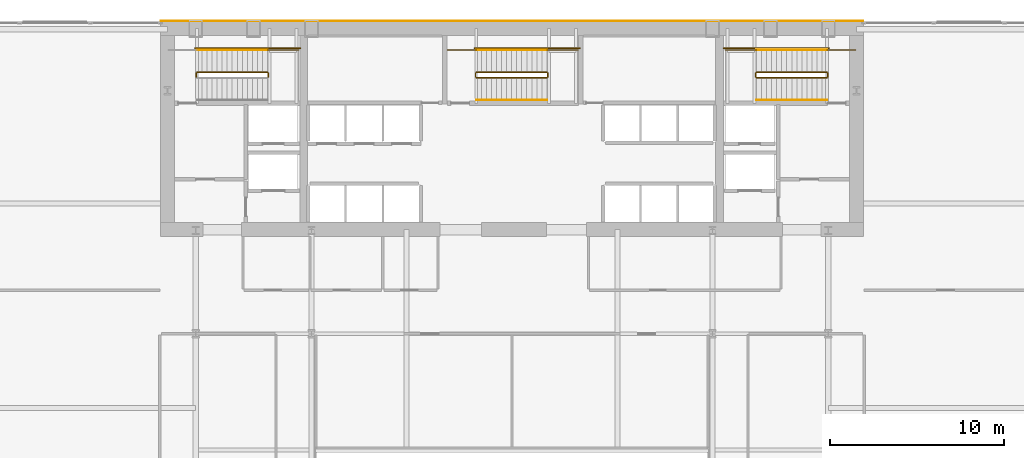
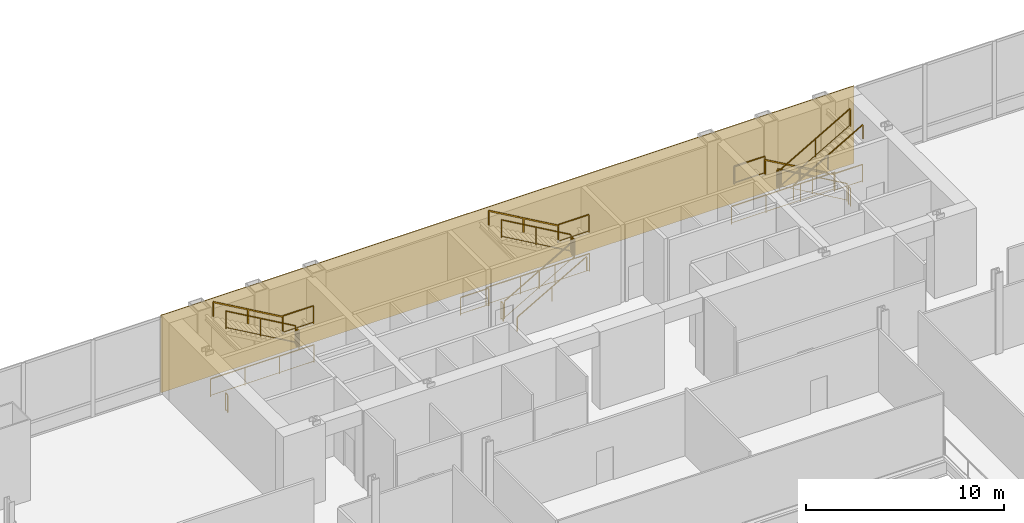
# One storey, part 24 of 25: 24 railings, 1 covering.
"""IFC4 building model written with IfcOpenShell, lengths in metres."""

from ifc_helpers import new_model, si_unit, direction, frame, origin, origin_2d, place, context, subcontext, project, spatial, polyline, rectangle, outline, extrude, material, layer, layer_set, type_object, element, save


model = new_model("IFC4")

# Units and contexts
model_context = context("Model", 3, precision=1e-05, world=origin(), true_north=direction((0.0, 1.0)))
body_context = subcontext(model_context, "Body", "Model", "MODEL_VIEW")
ifc_project = project(units=[si_unit("LENGTHUNIT", "METRE"), si_unit("AREAUNIT", "SQUARE_METRE"), si_unit("VOLUMEUNIT", "CUBIC_METRE"), si_unit("PLANEANGLEUNIT", "RADIAN"), si_unit("MASSUNIT", "GRAM", prefix="KILO")], contexts=[model_context])

# Site, building, storey
site_placement = place(None, origin())
site = spatial("IfcSite", under=ifc_project, at=site_placement, CompositionType="ELEMENT")
building_placement = place(site_placement, origin())
building = spatial("IfcBuilding", under=site, at=building_placement, Name="Khoronbel Lancet Exchange", CompositionType="ELEMENT")
storey_placement = place(building_placement, frame((0.0, 0.0, 15.39990234375)))
storey = spatial("IfcBuildingStorey", under=building, at=storey_placement, Name="L03", CompositionType="ELEMENT", Elevation=15.39990234375)

# Covering
ifc_material_1 = material(Name="Honed Egyptian Limestone & Bronze Rainscreen", Category="masonry")
ifc_layer = layer(ifc_material_1, 0.050048828125, Name="Honed Egyptian Limestone & Bronze Rainscreen")
ifc_layer_set = layer_set([ifc_layer], Name="Honed Egyptian Limestone & Bronze Rainscreen")
covering_type = type_object("IfcCoveringType", Name="COV-CLAD1", PredefinedType="CLADDING", material=ifc_layer_set)
covering_placement = place(storey_placement, origin())
element("IfcCovering", 1, at=covering_placement, inside=storey, type_object=covering_type, Name="Level L03 north rear-core stone and bronze rainscreen cladding", PredefinedType="CLADDING", context=body_context, shape_type="SweptSolid", body=[
    extrude(outline(polyline([(16.199951171875, 53.699951171875), (56.699951171875, 53.699951171875), (56.699951171875, 53.75), (16.199951171875, 53.75), (16.199951171875, 53.699951171875)])), origin(), (0.0, 0.0, 1.0), 4.780029296875),
])

# Railings
ifc_material_2 = material(Name="Painted Steel Balustrade", Category="steel")
railing_type_1 = type_object("IfcRailingType", Name="RL-STG110", PredefinedType="GUARDRAIL", material=ifc_material_2)
railing_1_placement = place(storey_placement, frame((22.409912109375, 50.5, 2.5)))
element("IfcRailing", 2, at=railing_1_placement, inside=storey, type_object=railing_type_1, Name="L03 ST1 stair guard 2", PredefinedType="GUARDRAIL", context=body_context, shape_type="SweptSolid", body=[
    extrude(rectangle(XDim=0.048095703125, YDim=0.048095703125, at=origin_2d()), frame((0.0, 0.0, 1.09619140625), z_axis=(0.0, 1.0, 0.0), x_axis=(-1.0, 0.0, 0.0)), (0.0, 0.0, 1.0), 0.219970703125),
    extrude(rectangle(XDim=0.02392578125, YDim=0.02392578125, at=origin_2d()), frame((0.0, 0.0, 0.080078125), z_axis=(0.0, 1.0, 0.0), x_axis=(-1.0, 0.0, 0.0)), (0.0, 0.0, 1.0), 0.219970703125),
    extrude(rectangle(XDim=0.0419921875, YDim=0.0419921875, at=origin_2d()), origin(), (0.0, 0.0, 1.0), 1.072021484375),
    extrude(rectangle(XDim=0.0419921875, YDim=0.0419921875, at=origin_2d()), frame((0.0, 0.219970703125, 0.0)), (0.0, 0.0, 1.0), 1.072021484375),
])
railing_2_placement = place(storey_placement, frame((22.360107421875, 52.050048828125, 2.5)))
element("IfcRailing", 3, at=railing_2_placement, inside=storey, type_object=railing_type_1, Name="L03 ST1 stair guard 3", PredefinedType="GUARDRAIL", context=body_context, shape_type="SweptSolid", body=[
    extrude(rectangle(XDim=0.048095703125, YDim=0.048095703125, at=origin_2d()), frame((0.0, 0.0, 1.09619140625), z_axis=(1.0, 0.0, 0.0), x_axis=(0.0, 1.0, 0.0)), (0.0, 0.0, 1.0), 1.789794921875),
    extrude(rectangle(XDim=0.02392578125, YDim=0.02392578125, at=origin_2d()), frame((0.0, 0.0, 0.080078125), z_axis=(1.0, 0.0, 0.0), x_axis=(0.0, 1.0, 0.0)), (0.0, 0.0, 1.0), 1.789794921875),
    extrude(rectangle(XDim=0.0419921875, YDim=0.0419921875, at=origin_2d()), origin(), (0.0, 0.0, 1.0), 1.072021484375),
    extrude(rectangle(XDim=0.0419921875, YDim=0.0419921875, at=origin_2d()), frame((1.789794921875, 0.0, 0.0)), (0.0, 0.0, 1.0), 1.072021484375),
])
railing_3_placement = place(storey_placement, frame((22.360107421875, 50.77001953125, 2.666748046875)))
element("IfcRailing", 4, at=railing_3_placement, inside=storey, type_object=railing_type_1, Name="L03 ST1 stair guard 4", PredefinedType="GUARDRAIL", context=body_context, shape_type="SweptSolid", body=[
    extrude(rectangle(XDim=0.048095703125, YDim=0.048095703125, at=origin_2d()), frame((0.0, 0.0, 1.09619140625), z_axis=(-0.867024558463, 0.0, 0.498265406207), x_axis=(0.0, -1.0, 0.0)), (0.0, 0.0, 1.0), 4.682861328125),
    extrude(rectangle(XDim=0.02392578125, YDim=0.02392578125, at=origin_2d()), frame((0.0, 0.0, 0.080078125), z_axis=(-0.867024558463, 0.0, 0.498265406207), x_axis=(0.0, -1.0, 0.0)), (0.0, 0.0, 1.0), 4.682861328125),
    extrude(rectangle(XDim=0.0419921875, YDim=0.0419921875, at=origin_2d()), origin(), (0.0, 0.0, 1.0), 1.072021484375),
    extrude(rectangle(XDim=0.0419921875, YDim=0.0419921875, at=origin_2d()), frame((-2.030029296875, 0.0, 1.16650390625)), (0.0, 0.0, 1.0), 1.072021484375),
    extrude(rectangle(XDim=0.0419921875, YDim=0.0419921875, at=origin_2d()), frame((-4.06005859375, 0.0, 2.333251953125)), (0.0, 0.0, 1.0), 1.072021484375),
])
railing_4_placement = place(storey_placement, frame((18.25, 50.5, 0.0)))
element("IfcRailing", 5, at=railing_4_placement, inside=storey, type_object=railing_type_1, Name="L03 ST1 stair guard 5", PredefinedType="GUARDRAIL", context=body_context, shape_type="SweptSolid", body=[
    extrude(rectangle(XDim=0.048095703125, YDim=0.048095703125, at=origin_2d()), frame((0.0, 0.0, 1.09619140625), z_axis=(0.0, 1.0, 0.0), x_axis=(-1.0, 0.0, 0.0)), (0.0, 0.0, 1.0), 0.219970703125),
    extrude(rectangle(XDim=0.02392578125, YDim=0.02392578125, at=origin_2d()), frame((0.0, 0.0, 0.080078125), z_axis=(0.0, 1.0, 0.0), x_axis=(-1.0, 0.0, 0.0)), (0.0, 0.0, 1.0), 0.219970703125),
    extrude(rectangle(XDim=0.0419921875, YDim=0.0419921875, at=origin_2d()), origin(), (0.0, 0.0, 1.0), 1.072021484375),
    extrude(rectangle(XDim=0.0419921875, YDim=0.0419921875, at=origin_2d()), frame((0.0, 0.219970703125, 0.0)), (0.0, 0.0, 1.0), 1.072021484375),
])
railing_5_placement = place(storey_placement, frame((18.199951171875, 52.14990234375, 0.0)))
element("IfcRailing", 6, at=railing_5_placement, inside=storey, type_object=railing_type_1, Name="L03 ST1 stair guard 7", PredefinedType="GUARDRAIL", context=body_context, shape_type="SweptSolid", body=[
    extrude(rectangle(XDim=0.048095703125, YDim=0.048095703125, at=origin_2d()), frame((0.0, 0.0, 1.09619140625), z_axis=(1.0, 0.0, 0.0), x_axis=(0.0, 1.0, 0.0)), (0.0, 0.0, 1.0), 6.050048828125),
    extrude(rectangle(XDim=0.02392578125, YDim=0.02392578125, at=origin_2d()), frame((0.0, 0.0, 0.080078125), z_axis=(1.0, 0.0, 0.0), x_axis=(0.0, 1.0, 0.0)), (0.0, 0.0, 1.0), 6.050048828125),
    extrude(rectangle(XDim=0.0419921875, YDim=0.0419921875, at=origin_2d()), origin(), (0.0, 0.0, 1.0), 1.072021484375),
    extrude(rectangle(XDim=0.0419921875, YDim=0.0419921875, at=origin_2d()), frame((2.0166015625, 0.0, 0.0)), (0.0, 0.0, 1.0), 1.072021484375),
    extrude(rectangle(XDim=0.0419921875, YDim=0.0419921875, at=origin_2d()), frame((4.033447265625, 0.0, 0.0)), (0.0, 0.0, 1.0), 1.072021484375),
    extrude(rectangle(XDim=0.0419921875, YDim=0.0419921875, at=origin_2d()), frame((6.050048828125, 0.0, 0.0)), (0.0, 0.0, 1.0), 1.072021484375),
])
railing_6_placement = place(storey_placement, frame((54.60009765625, 50.77001953125, 0.166748046875)))
element("IfcRailing", 7, at=railing_6_placement, inside=storey, type_object=railing_type_1, Name="L03 ST2 stair guard 1", PredefinedType="GUARDRAIL", context=body_context, shape_type="SweptSolid", body=[
    extrude(rectangle(XDim=0.048095703125, YDim=0.048095703125, at=origin_2d()), frame((0.0, 0.0, 1.09619140625), z_axis=(-0.867024558463, 0.0, 0.498265406207), x_axis=(0.0, -1.0, 0.0)), (0.0, 0.0, 1.0), 4.682861328125),
    extrude(rectangle(XDim=0.02392578125, YDim=0.02392578125, at=origin_2d()), frame((0.0, 0.0, 0.080078125), z_axis=(-0.867024558463, 0.0, 0.498265406207), x_axis=(0.0, -1.0, 0.0)), (0.0, 0.0, 1.0), 4.682861328125),
    extrude(rectangle(XDim=0.0419921875, YDim=0.0419921875, at=origin_2d()), origin(), (0.0, 0.0, 1.0), 1.072021484375),
    extrude(rectangle(XDim=0.0419921875, YDim=0.0419921875, at=origin_2d()), frame((-2.030029296875, 0.0, 1.16650390625)), (0.0, 0.0, 1.0), 1.072021484375),
    extrude(rectangle(XDim=0.0419921875, YDim=0.0419921875, at=origin_2d()), frame((-4.06005859375, 0.0, 2.333251953125)), (0.0, 0.0, 1.0), 1.072021484375),
])
railing_7_placement = place(storey_placement, frame((50.489990234375, 50.719970703125, 2.5)))
element("IfcRailing", 8, at=railing_7_placement, inside=storey, type_object=railing_type_1, Name="L03 ST2 stair guard 2", PredefinedType="GUARDRAIL", context=body_context, shape_type="SweptSolid", body=[
    extrude(rectangle(XDim=0.048095703125, YDim=0.048095703125, at=origin_2d()), frame((0.0, 0.0, 1.09619140625), z_axis=(0.0, -1.0, 0.0), x_axis=(1.0, 0.0, 0.0)), (0.0, 0.0, 1.0), 0.219970703125),
    extrude(rectangle(XDim=0.02392578125, YDim=0.02392578125, at=origin_2d()), frame((0.0, 0.0, 0.080078125), z_axis=(0.0, -1.0, 0.0), x_axis=(1.0, 0.0, 0.0)), (0.0, 0.0, 1.0), 0.219970703125),
    extrude(rectangle(XDim=0.0419921875, YDim=0.0419921875, at=origin_2d()), origin(), (0.0, 0.0, 1.0), 1.072021484375),
    extrude(rectangle(XDim=0.0419921875, YDim=0.0419921875, at=origin_2d()), frame((0.0, -0.219970703125, 0.0)), (0.0, 0.0, 1.0), 1.072021484375),
])
railing_8_placement = place(storey_placement, frame((50.5400390625, 52.050048828125, 2.5)))
element("IfcRailing", 9, at=railing_8_placement, inside=storey, type_object=railing_type_1, Name="L03 ST2 stair guard 3", PredefinedType="GUARDRAIL", context=body_context, shape_type="SweptSolid", body=[
    extrude(rectangle(XDim=0.048095703125, YDim=0.048095703125, at=origin_2d()), frame((0.0, 0.0, 1.09619140625), z_axis=(-1.0, 0.0, 0.0), x_axis=(0.0, -1.0, 0.0)), (0.0, 0.0, 1.0), 1.7900390625),
    extrude(rectangle(XDim=0.02392578125, YDim=0.02392578125, at=origin_2d()), frame((0.0, 0.0, 0.080078125), z_axis=(-1.0, 0.0, 0.0), x_axis=(0.0, -1.0, 0.0)), (0.0, 0.0, 1.0), 1.7900390625),
    extrude(rectangle(XDim=0.0419921875, YDim=0.0419921875, at=origin_2d()), origin(), (0.0, 0.0, 1.0), 1.072021484375),
    extrude(rectangle(XDim=0.0419921875, YDim=0.0419921875, at=origin_2d()), frame((-1.7900390625, 0.0, 0.0)), (0.0, 0.0, 1.0), 1.072021484375),
])
railing_9_placement = place(storey_placement, frame((50.5400390625, 50.449951171875, 2.666748046875)))
element("IfcRailing", 10, at=railing_9_placement, inside=storey, type_object=railing_type_1, Name="L03 ST2 stair guard 4", PredefinedType="GUARDRAIL", context=body_context, shape_type="SweptSolid", body=[
    extrude(rectangle(XDim=0.048095703125, YDim=0.048095703125, at=origin_2d()), frame((0.0, 0.0, 1.09619140625), z_axis=(0.867024558463, 0.0, 0.498265406207), x_axis=(0.0, 1.0, 0.0)), (0.0, 0.0, 1.0), 4.682861328125),
    extrude(rectangle(XDim=0.02392578125, YDim=0.02392578125, at=origin_2d()), frame((0.0, 0.0, 0.080078125), z_axis=(0.867024558463, 0.0, 0.498265406207), x_axis=(0.0, 1.0, 0.0)), (0.0, 0.0, 1.0), 4.682861328125),
    extrude(rectangle(XDim=0.0419921875, YDim=0.0419921875, at=origin_2d()), origin(), (0.0, 0.0, 1.0), 1.072021484375),
    extrude(rectangle(XDim=0.0419921875, YDim=0.0419921875, at=origin_2d()), frame((2.030029296875, 0.0, 1.16650390625)), (0.0, 0.0, 1.0), 1.072021484375),
    extrude(rectangle(XDim=0.0419921875, YDim=0.0419921875, at=origin_2d()), frame((4.06005859375, 0.0, 2.333251953125)), (0.0, 0.0, 1.0), 1.072021484375),
])
railing_10_placement = place(storey_placement, frame((54.64990234375, 50.719970703125, 0.0)))
element("IfcRailing", 11, at=railing_10_placement, inside=storey, type_object=railing_type_1, Name="L03 ST2 stair guard 5", PredefinedType="GUARDRAIL", context=body_context, shape_type="SweptSolid", body=[
    extrude(rectangle(XDim=0.048095703125, YDim=0.048095703125, at=origin_2d()), frame((0.0, 0.0, 1.09619140625), z_axis=(0.0, -1.0, 0.0), x_axis=(1.0, 0.0, 0.0)), (0.0, 0.0, 1.0), 0.219970703125),
    extrude(rectangle(XDim=0.02392578125, YDim=0.02392578125, at=origin_2d()), frame((0.0, 0.0, 0.080078125), z_axis=(0.0, -1.0, 0.0), x_axis=(1.0, 0.0, 0.0)), (0.0, 0.0, 1.0), 0.219970703125),
    extrude(rectangle(XDim=0.0419921875, YDim=0.0419921875, at=origin_2d()), origin(), (0.0, 0.0, 1.0), 1.072021484375),
    extrude(rectangle(XDim=0.0419921875, YDim=0.0419921875, at=origin_2d()), frame((0.0, -0.219970703125, 0.0)), (0.0, 0.0, 1.0), 1.072021484375),
])
railing_11_placement = place(storey_placement, frame((56.25, 52.050048828125, 0.0)))
element("IfcRailing", 12, at=railing_11_placement, inside=storey, type_object=railing_type_1, Name="L03 ST2 stair guard 6", PredefinedType="GUARDRAIL", context=body_context, shape_type="SweptSolid", body=[
    extrude(rectangle(XDim=0.048095703125, YDim=0.048095703125, at=origin_2d()), frame((0.0, 0.0, 1.09619140625), z_axis=(-1.0, 0.0, 0.0), x_axis=(0.0, -1.0, 0.0)), (0.0, 0.0, 1.0), 1.64990234375),
    extrude(rectangle(XDim=0.02392578125, YDim=0.02392578125, at=origin_2d()), frame((0.0, 0.0, 0.080078125), z_axis=(-1.0, 0.0, 0.0), x_axis=(0.0, -1.0, 0.0)), (0.0, 0.0, 1.0), 1.64990234375),
    extrude(rectangle(XDim=0.0419921875, YDim=0.0419921875, at=origin_2d()), origin(), (0.0, 0.0, 1.0), 1.072021484375),
    extrude(rectangle(XDim=0.0419921875, YDim=0.0419921875, at=origin_2d()), frame((-1.64990234375, 0.0, 0.0)), (0.0, 0.0, 1.0), 1.072021484375),
])
railing_12_placement = place(storey_placement, frame((54.699951171875, 52.14990234375, 0.0)))
element("IfcRailing", 13, at=railing_12_placement, inside=storey, type_object=railing_type_1, Name="L03 ST2 stair guard 7", PredefinedType="GUARDRAIL", context=body_context, shape_type="SweptSolid", body=[
    extrude(rectangle(XDim=0.048095703125, YDim=0.048095703125, at=origin_2d()), frame((0.0, 0.0, 1.09619140625), z_axis=(-1.0, 0.0, 0.0), x_axis=(0.0, -1.0, 0.0)), (0.0, 0.0, 1.0), 6.050048828125),
    extrude(rectangle(XDim=0.02392578125, YDim=0.02392578125, at=origin_2d()), frame((0.0, 0.0, 0.080078125), z_axis=(-1.0, 0.0, 0.0), x_axis=(0.0, -1.0, 0.0)), (0.0, 0.0, 1.0), 6.050048828125),
    extrude(rectangle(XDim=0.0419921875, YDim=0.0419921875, at=origin_2d()), origin(), (0.0, 0.0, 1.0), 1.072021484375),
    extrude(rectangle(XDim=0.0419921875, YDim=0.0419921875, at=origin_2d()), frame((-2.0166015625, 0.0, 0.0)), (0.0, 0.0, 1.0), 1.072021484375),
    extrude(rectangle(XDim=0.0419921875, YDim=0.0419921875, at=origin_2d()), frame((-4.033447265625, 0.0, 0.0)), (0.0, 0.0, 1.0), 1.072021484375),
    extrude(rectangle(XDim=0.0419921875, YDim=0.0419921875, at=origin_2d()), frame((-6.050048828125, 0.0, 0.0)), (0.0, 0.0, 1.0), 1.072021484375),
])
railing_13_placement = place(storey_placement, frame((34.39990234375, 50.449951171875, 0.166748046875)))
element("IfcRailing", 14, at=railing_13_placement, inside=storey, type_object=railing_type_1, Name="L03 ST3 stair guard 1", PredefinedType="GUARDRAIL", context=body_context, shape_type="SweptSolid", body=[
    extrude(rectangle(XDim=0.048095703125, YDim=0.048095703125, at=origin_2d()), frame((0.0, 0.0, 1.09619140625), z_axis=(0.867024558463, 0.0, 0.498265406207), x_axis=(0.0, 1.0, 0.0)), (0.0, 0.0, 1.0), 4.682861328125),
    extrude(rectangle(XDim=0.02392578125, YDim=0.02392578125, at=origin_2d()), frame((0.0, 0.0, 0.080078125), z_axis=(0.867024558463, 0.0, 0.498265406207), x_axis=(0.0, 1.0, 0.0)), (0.0, 0.0, 1.0), 4.682861328125),
    extrude(rectangle(XDim=0.0419921875, YDim=0.0419921875, at=origin_2d()), origin(), (0.0, 0.0, 1.0), 1.072021484375),
    extrude(rectangle(XDim=0.0419921875, YDim=0.0419921875, at=origin_2d()), frame((2.030029296875, 0.0, 1.16650390625)), (0.0, 0.0, 1.0), 1.072021484375),
    extrude(rectangle(XDim=0.0419921875, YDim=0.0419921875, at=origin_2d()), frame((4.06005859375, 0.0, 2.333251953125)), (0.0, 0.0, 1.0), 1.072021484375),
])
railing_14_placement = place(storey_placement, frame((38.510009765625, 50.5, 2.5)))
element("IfcRailing", 15, at=railing_14_placement, inside=storey, type_object=railing_type_1, Name="L03 ST3 stair guard 2", PredefinedType="GUARDRAIL", context=body_context, shape_type="SweptSolid", body=[
    extrude(rectangle(XDim=0.048095703125, YDim=0.048095703125, at=origin_2d()), frame((0.0, 0.0, 1.09619140625), z_axis=(0.0, 1.0, 0.0), x_axis=(-1.0, 0.0, 0.0)), (0.0, 0.0, 1.0), 0.219970703125),
    extrude(rectangle(XDim=0.02392578125, YDim=0.02392578125, at=origin_2d()), frame((0.0, 0.0, 0.080078125), z_axis=(0.0, 1.0, 0.0), x_axis=(-1.0, 0.0, 0.0)), (0.0, 0.0, 1.0), 0.219970703125),
    extrude(rectangle(XDim=0.0419921875, YDim=0.0419921875, at=origin_2d()), origin(), (0.0, 0.0, 1.0), 1.072021484375),
    extrude(rectangle(XDim=0.0419921875, YDim=0.0419921875, at=origin_2d()), frame((0.0, 0.219970703125, 0.0)), (0.0, 0.0, 1.0), 1.072021484375),
])
railing_15_placement = place(storey_placement, frame((38.4599609375, 52.050048828125, 2.5)))
element("IfcRailing", 16, at=railing_15_placement, inside=storey, type_object=railing_type_1, Name="L03 ST3 stair guard 3", PredefinedType="GUARDRAIL", context=body_context, shape_type="SweptSolid", body=[
    extrude(rectangle(XDim=0.048095703125, YDim=0.048095703125, at=origin_2d()), frame((0.0, 0.0, 1.09619140625), z_axis=(1.0, 0.0, 0.0), x_axis=(0.0, 1.0, 0.0)), (0.0, 0.0, 1.0), 1.7900390625),
    extrude(rectangle(XDim=0.02392578125, YDim=0.02392578125, at=origin_2d()), frame((0.0, 0.0, 0.080078125), z_axis=(1.0, 0.0, 0.0), x_axis=(0.0, 1.0, 0.0)), (0.0, 0.0, 1.0), 1.7900390625),
    extrude(rectangle(XDim=0.0419921875, YDim=0.0419921875, at=origin_2d()), origin(), (0.0, 0.0, 1.0), 1.072021484375),
    extrude(rectangle(XDim=0.0419921875, YDim=0.0419921875, at=origin_2d()), frame((1.7900390625, 0.0, 0.0)), (0.0, 0.0, 1.0), 1.072021484375),
])
railing_16_placement = place(storey_placement, frame((38.4599609375, 50.77001953125, 2.666748046875)))
element("IfcRailing", 17, at=railing_16_placement, inside=storey, type_object=railing_type_1, Name="L03 ST3 stair guard 4", PredefinedType="GUARDRAIL", context=body_context, shape_type="SweptSolid", body=[
    extrude(rectangle(XDim=0.048095703125, YDim=0.048095703125, at=origin_2d()), frame((0.0, 0.0, 1.09619140625), z_axis=(-0.867024558463, 0.0, 0.498265406207), x_axis=(0.0, -1.0, 0.0)), (0.0, 0.0, 1.0), 4.682861328125),
    extrude(rectangle(XDim=0.02392578125, YDim=0.02392578125, at=origin_2d()), frame((0.0, 0.0, 0.080078125), z_axis=(-0.867024558463, 0.0, 0.498265406207), x_axis=(0.0, -1.0, 0.0)), (0.0, 0.0, 1.0), 4.682861328125),
    extrude(rectangle(XDim=0.0419921875, YDim=0.0419921875, at=origin_2d()), origin(), (0.0, 0.0, 1.0), 1.072021484375),
    extrude(rectangle(XDim=0.0419921875, YDim=0.0419921875, at=origin_2d()), frame((-2.030029296875, 0.0, 1.16650390625)), (0.0, 0.0, 1.0), 1.072021484375),
    extrude(rectangle(XDim=0.0419921875, YDim=0.0419921875, at=origin_2d()), frame((-4.06005859375, 0.0, 2.333251953125)), (0.0, 0.0, 1.0), 1.072021484375),
])
railing_17_placement = place(storey_placement, frame((34.35009765625, 50.5, 0.0)))
element("IfcRailing", 18, at=railing_17_placement, inside=storey, type_object=railing_type_1, Name="L03 ST3 stair guard 5", PredefinedType="GUARDRAIL", context=body_context, shape_type="SweptSolid", body=[
    extrude(rectangle(XDim=0.048095703125, YDim=0.048095703125, at=origin_2d()), frame((0.0, 0.0, 1.09619140625), z_axis=(0.0, 1.0, 0.0), x_axis=(-1.0, 0.0, 0.0)), (0.0, 0.0, 1.0), 0.219970703125),
    extrude(rectangle(XDim=0.02392578125, YDim=0.02392578125, at=origin_2d()), frame((0.0, 0.0, 0.080078125), z_axis=(0.0, 1.0, 0.0), x_axis=(-1.0, 0.0, 0.0)), (0.0, 0.0, 1.0), 0.219970703125),
    extrude(rectangle(XDim=0.0419921875, YDim=0.0419921875, at=origin_2d()), origin(), (0.0, 0.0, 1.0), 1.072021484375),
    extrude(rectangle(XDim=0.0419921875, YDim=0.0419921875, at=origin_2d()), frame((0.0, 0.219970703125, 0.0)), (0.0, 0.0, 1.0), 1.072021484375),
])
railing_18_placement = place(storey_placement, frame((32.75, 52.050048828125, 0.0)))
element("IfcRailing", 19, at=railing_18_placement, inside=storey, type_object=railing_type_1, Name="L03 ST3 stair guard 6", PredefinedType="GUARDRAIL", context=body_context, shape_type="SweptSolid", body=[
    extrude(rectangle(XDim=0.048095703125, YDim=0.048095703125, at=origin_2d()), frame((0.0, 0.0, 1.09619140625), z_axis=(1.0, 0.0, 0.0), x_axis=(0.0, 1.0, 0.0)), (0.0, 0.0, 1.0), 1.64990234375),
    extrude(rectangle(XDim=0.02392578125, YDim=0.02392578125, at=origin_2d()), frame((0.0, 0.0, 0.080078125), z_axis=(1.0, 0.0, 0.0), x_axis=(0.0, 1.0, 0.0)), (0.0, 0.0, 1.0), 1.64990234375),
    extrude(rectangle(XDim=0.0419921875, YDim=0.0419921875, at=origin_2d()), origin(), (0.0, 0.0, 1.0), 1.072021484375),
    extrude(rectangle(XDim=0.0419921875, YDim=0.0419921875, at=origin_2d()), frame((1.64990234375, 0.0, 0.0)), (0.0, 0.0, 1.0), 1.072021484375),
])
railing_19_placement = place(storey_placement, frame((34.300048828125, 52.14990234375, 0.0)))
element("IfcRailing", 20, at=railing_19_placement, inside=storey, type_object=railing_type_1, Name="L03 ST3 stair guard 7", PredefinedType="GUARDRAIL", context=body_context, shape_type="SweptSolid", body=[
    extrude(rectangle(XDim=0.048095703125, YDim=0.048095703125, at=origin_2d()), frame((0.0, 0.0, 1.09619140625), z_axis=(1.0, 0.0, 0.0), x_axis=(0.0, 1.0, 0.0)), (0.0, 0.0, 1.0), 6.050048828125),
    extrude(rectangle(XDim=0.02392578125, YDim=0.02392578125, at=origin_2d()), frame((0.0, 0.0, 0.080078125), z_axis=(1.0, 0.0, 0.0), x_axis=(0.0, 1.0, 0.0)), (0.0, 0.0, 1.0), 6.050048828125),
    extrude(rectangle(XDim=0.0419921875, YDim=0.0419921875, at=origin_2d()), origin(), (0.0, 0.0, 1.0), 1.072021484375),
    extrude(rectangle(XDim=0.0419921875, YDim=0.0419921875, at=origin_2d()), frame((2.0166015625, 0.0, 0.0)), (0.0, 0.0, 1.0), 1.072021484375),
    extrude(rectangle(XDim=0.0419921875, YDim=0.0419921875, at=origin_2d()), frame((4.033447265625, 0.0, 0.0)), (0.0, 0.0, 1.0), 1.072021484375),
    extrude(rectangle(XDim=0.0419921875, YDim=0.0419921875, at=origin_2d()), frame((6.050048828125, 0.0, 0.0)), (0.0, 0.0, 1.0), 1.072021484375),
])
ifc_material_3 = material(Name="Brushed Stainless Steel 316", Category="steel")
railing_type_2 = type_object("IfcRailingType", Name="RL-STH92", PredefinedType="HANDRAIL", material=ifc_material_3)
for number, where, name in (
    (21, (22.360107421875, 52.050048828125, 2.666748046875), "L03 ST1 stair handrail 2"),
    (22, (54.60009765625, 52.050048828125, 0.166748046875), "L03 ST2 stair handrail 1"),
):
    element("IfcRailing", number, at=place(storey_placement, frame(where)), inside=storey, type_object=railing_type_2, Name=name, PredefinedType="HANDRAIL", context=body_context, shape_type="SweptSolid", body=[
        extrude(rectangle(XDim=0.048095703125, YDim=0.048095703125, at=origin_2d()), frame((0.0, 0.0, 0.8759765625), z_axis=(-0.867024558463, 0.0, 0.498265406207), x_axis=(0.0, -1.0, 0.0)), (0.0, 0.0, 1.0), 4.682861328125),
        extrude(rectangle(XDim=0.0419921875, YDim=0.0419921875, at=origin_2d()), origin(), (0.0, 0.0, 1.0), 0.851806640625),
        extrude(rectangle(XDim=0.0419921875, YDim=0.0419921875, at=origin_2d()), frame((-2.030029296875, 0.0, 1.16650390625)), (0.0, 0.0, 1.0), 0.851806640625),
        extrude(rectangle(XDim=0.0419921875, YDim=0.0419921875, at=origin_2d()), frame((-4.06005859375, 0.0, 2.333251953125)), (0.0, 0.0, 1.0), 0.851806640625),
    ])
for number, where, name in (
    (23, (50.5400390625, 49.169921875, 2.666748046875), "L03 ST2 stair handrail 2"),
    (24, (34.39990234375, 49.169921875, 0.166748046875), "L03 ST3 stair handrail 1"),
):
    element("IfcRailing", number, at=place(storey_placement, frame(where)), inside=storey, type_object=railing_type_2, Name=name, PredefinedType="HANDRAIL", context=body_context, shape_type="SweptSolid", body=[
        extrude(rectangle(XDim=0.048095703125, YDim=0.048095703125, at=origin_2d()), frame((0.0, 0.0, 0.8759765625), z_axis=(0.867024558463, 0.0, 0.498265406207), x_axis=(0.0, 1.0, 0.0)), (0.0, 0.0, 1.0), 4.682861328125),
        extrude(rectangle(XDim=0.0419921875, YDim=0.0419921875, at=origin_2d()), origin(), (0.0, 0.0, 1.0), 0.851806640625),
        extrude(rectangle(XDim=0.0419921875, YDim=0.0419921875, at=origin_2d()), frame((2.030029296875, 0.0, 1.16650390625)), (0.0, 0.0, 1.0), 0.851806640625),
        extrude(rectangle(XDim=0.0419921875, YDim=0.0419921875, at=origin_2d()), frame((4.06005859375, 0.0, 2.333251953125)), (0.0, 0.0, 1.0), 0.851806640625),
    ])
railing_20_placement = place(storey_placement, frame((38.4599609375, 52.050048828125, 2.666748046875)))
element("IfcRailing", 25, at=railing_20_placement, inside=storey, type_object=railing_type_2, Name="L03 ST3 stair handrail 2", PredefinedType="HANDRAIL", context=body_context, shape_type="SweptSolid", body=[
    extrude(rectangle(XDim=0.048095703125, YDim=0.048095703125, at=origin_2d()), frame((0.0, 0.0, 0.8759765625), z_axis=(-0.867024558463, 0.0, 0.498265406207), x_axis=(0.0, -1.0, 0.0)), (0.0, 0.0, 1.0), 4.682861328125),
    extrude(rectangle(XDim=0.0419921875, YDim=0.0419921875, at=origin_2d()), origin(), (0.0, 0.0, 1.0), 0.851806640625),
    extrude(rectangle(XDim=0.0419921875, YDim=0.0419921875, at=origin_2d()), frame((-2.030029296875, 0.0, 1.16650390625)), (0.0, 0.0, 1.0), 0.851806640625),
    extrude(rectangle(XDim=0.0419921875, YDim=0.0419921875, at=origin_2d()), frame((-4.06005859375, 0.0, 2.333251953125)), (0.0, 0.0, 1.0), 0.851806640625),
])

save(model, "model.ifc")
